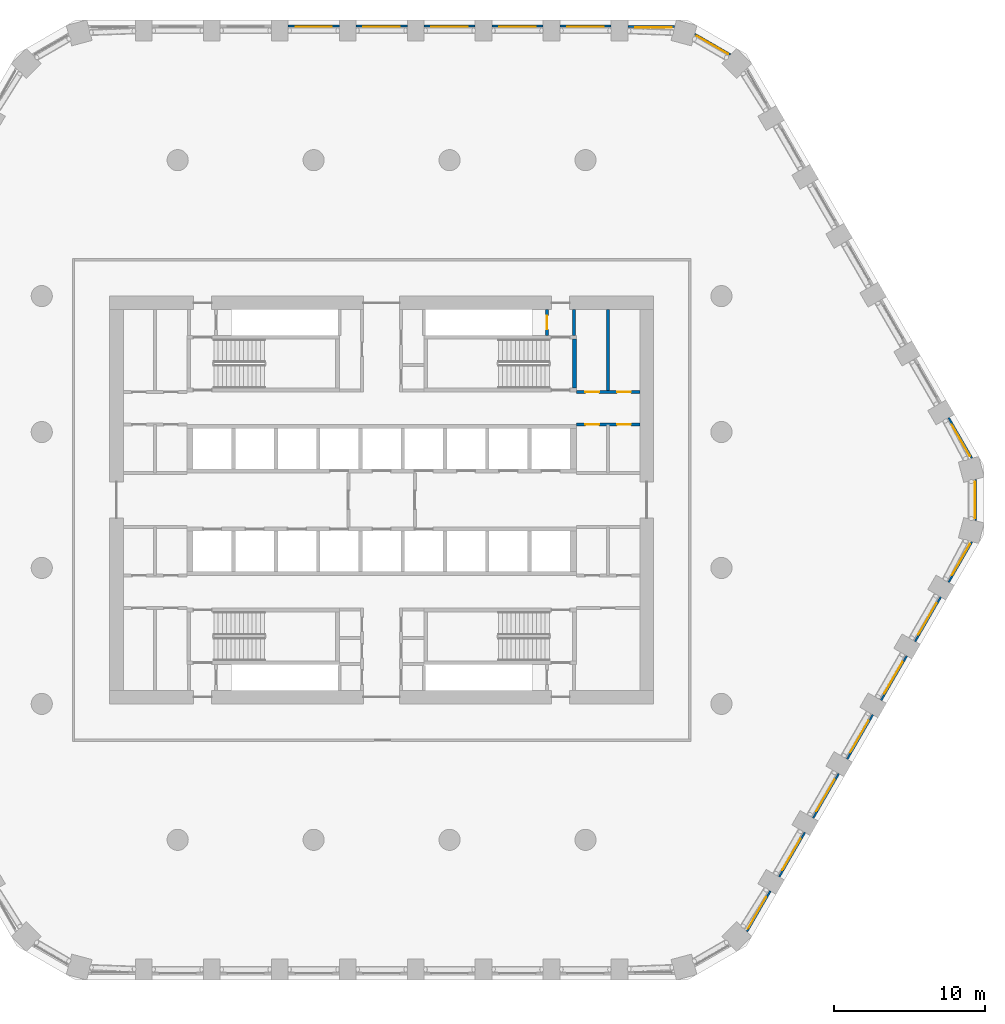
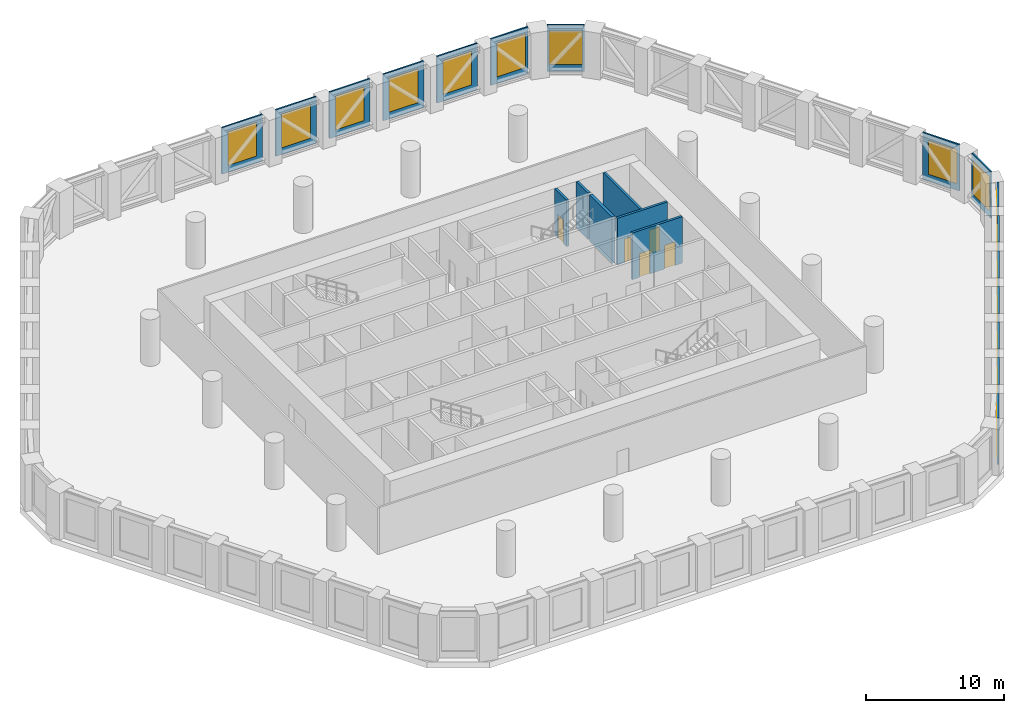
# One storey, part 8 of 18: 22 walls, 16 windows, 5 doors, 21 openings.
"""IFC4 building model written with IfcOpenShell, lengths in metres."""

from ifc_helpers import new_model, si_unit, direction, frame, frame_2d, origin, place, context, subcontext, project, spatial, rectangle, extrude, material, layer, layer_set, type_object, element, fill, save


model = new_model("IFC4")

# Units and contexts
model_context = context("Model", 3, precision=1e-05, world=origin(), true_north=direction((0.0, 1.0)))
body_context = subcontext(model_context, "Body", "Model", "MODEL_VIEW")
ifc_project = project(units=[si_unit("LENGTHUNIT", "METRE"), si_unit("AREAUNIT", "SQUARE_METRE"), si_unit("VOLUMEUNIT", "CUBIC_METRE"), si_unit("PLANEANGLEUNIT", "RADIAN"), si_unit("MASSUNIT", "GRAM", prefix="KILO")], contexts=[model_context])

# Site, building, storey
site_placement = place(None, origin())
site = spatial("IfcSite", under=ifc_project, at=site_placement, CompositionType="ELEMENT")
building_placement = place(site_placement, origin())
building = spatial("IfcBuilding", under=site, at=building_placement, Name="Dhurran Vertical Campus", CompositionType="ELEMENT")
storey_placement = place(building_placement, frame((0.0, 0.0, 76.800048828125)))
storey = spatial("IfcBuildingStorey", under=building, at=storey_placement, Name="L18 Plant", CompositionType="ELEMENT", Elevation=76.800048828125)

# Wall, opening, window
ifc_material_1 = material(Name="Precast concrete C50/60", Category="concrete")
ifc_layer_1 = layer(ifc_material_1, 0.1201171875)
ifc_layer_set_1 = layer_set([ifc_layer_1], Name="Precast concrete C50/60")
wall_type_1 = type_object("IfcWallType", Name="Precast louvre-bay panel 120", PredefinedType="SOLIDWALL", material=ifc_layer_set_1)
wall_1_placement = place(storey_placement, frame((24.19677734375, -28.567138671875, 0.0), z_axis=(0.0, 0.0, 1.0), x_axis=(0.49996174997, 0.866047486323, 0.0)))
wall_1 = element("IfcWall", 1, at=wall_1_placement, inside=storey, type_object=wall_type_1, Name="EW4 L18.10", PredefinedType="SOLIDWALL", context=body_context, shape_type="SweptSolid", body=[
    extrude(rectangle(XDim=3.091064453125, YDim=0.1201171875, at=frame_2d((1.54541015625, 0.0))), origin(), (0.0, 0.0, 1.0), 4.125),
])
opening_1_placement = place(wall_1_placement, frame((0.19140625, 0.0, 0.60009765625)))
opening_1 = element("IfcOpeningElement", 2, at=opening_1_placement, cuts=wall_1, Name="Opening WT4", PredefinedType="OPENING", context=body_context, shape_type="SweptSolid", body=[
    extrude(rectangle(XDim=2.39990234375, YDim=3.0, at=frame_2d((1.199951171875, 1.5))), frame((0.0, 0.070068359375, 0.0), z_axis=(0.0, -1.0, 0.0), x_axis=(1.0, 0.0, 0.0)), (0.0, 0.0, 1.0), 0.14013671875),
])
ifc_material_2 = material(Name="Aluminium louvre", Category="aluminium")
window_type = type_object("IfcWindowType", Name="Louvred plant vent 2400 x 3000", PartitioningType="SINGLE_PANEL", PredefinedType="WINDOW", material=ifc_material_2)
window_1_placement = place(opening_1_placement, origin())
window_1 = element("IfcWindow", 3, at=window_1_placement, inside=storey, type_object=window_type, Name="WT4 L18.10", OverallHeight=3.0, OverallWidth=2.39990234375, PartitioningType="SINGLE_PANEL", PredefinedType="WINDOW", context=body_context, shape_type="SweptSolid", body=[
    extrude(rectangle(XDim=2.39990234375, YDim=3.0, at=frame_2d((1.199951171875, 1.5))), frame((0.0, 0.06005859375, 0.0), z_axis=(0.0, -1.0, 0.0), x_axis=(1.0, 0.0, 0.0)), (0.0, 0.0, 1.0), 0.02001953125),
])
fill(opening_1, window_1)

wall_2_placement = place(storey_placement, frame((26.3251953125, -24.95556640625, 0.0), z_axis=(0.0, 0.0, 1.0), x_axis=(0.499993955907, 0.866028893315, 0.0)))
wall_2 = element("IfcWall", 4, at=wall_2_placement, inside=storey, type_object=wall_type_1, Name="EW4 L18.11", PredefinedType="SOLIDWALL", context=body_context, shape_type="SweptSolid", body=[
    extrude(rectangle(XDim=3.39892578125, YDim=0.1201171875, at=frame_2d((1.699462890625, 0.0))), origin(), (0.0, 0.0, 1.0), 4.125),
])
opening_2_placement = place(wall_2_placement, frame((0.49951171875, 0.0, 0.60009765625)))
opening_2 = element("IfcOpeningElement", 5, at=opening_2_placement, cuts=wall_2, Name="Opening WT4", PredefinedType="OPENING", context=body_context, shape_type="SweptSolid", body=[
    extrude(rectangle(XDim=2.39990234375, YDim=3.0, at=frame_2d((1.199951171875, 1.5))), frame((0.0, 0.070068359375, 0.0), z_axis=(0.0, -1.0, 0.0), x_axis=(1.0, 0.0, 0.0)), (0.0, 0.0, 1.0), 0.14013671875),
])
window_2_placement = place(opening_2_placement, origin())
window_2 = element("IfcWindow", 6, at=window_2_placement, inside=storey, type_object=window_type, Name="WT4 L18.11", OverallHeight=3.0, OverallWidth=2.39990234375, PartitioningType="SINGLE_PANEL", PredefinedType="WINDOW", context=body_context, shape_type="SweptSolid", body=[
    extrude(rectangle(XDim=2.39990234375, YDim=3.0, at=frame_2d((1.199951171875, 1.5))), frame((0.0, 0.06005859375, 0.0), z_axis=(0.0, -1.0, 0.0), x_axis=(1.0, 0.0, 0.0)), (0.0, 0.0, 1.0), 0.02001953125),
])
fill(opening_2, window_2)

wall_3_placement = place(storey_placement, frame((28.5751953125, -21.058349609375, 0.0), z_axis=(0.0, 0.0, 1.0), x_axis=(0.499993955907, 0.866028893315, 0.0)))
wall_3 = element("IfcWall", 7, at=wall_3_placement, inside=storey, type_object=wall_type_1, Name="EW4 L18.12", PredefinedType="SOLIDWALL", context=body_context, shape_type="SweptSolid", body=[
    extrude(rectangle(XDim=3.39892578125, YDim=0.1201171875, at=frame_2d((1.699462890625, 0.0))), origin(), (0.0, 0.0, 1.0), 4.125),
])
opening_3_placement = place(wall_3_placement, frame((0.49951171875, 0.0, 0.60009765625)))
opening_3 = element("IfcOpeningElement", 8, at=opening_3_placement, cuts=wall_3, Name="Opening WT4", PredefinedType="OPENING", context=body_context, shape_type="SweptSolid", body=[
    extrude(rectangle(XDim=2.39990234375, YDim=3.0, at=frame_2d((1.199951171875, 1.5))), frame((0.0, 0.070068359375, 0.0), z_axis=(0.0, -1.0, 0.0), x_axis=(1.0, 0.0, 0.0)), (0.0, 0.0, 1.0), 0.14013671875),
])
window_3_placement = place(opening_3_placement, origin())
window_3 = element("IfcWindow", 9, at=window_3_placement, inside=storey, type_object=window_type, Name="WT4 L18.12", OverallHeight=3.0, OverallWidth=2.39990234375, PartitioningType="SINGLE_PANEL", PredefinedType="WINDOW", context=body_context, shape_type="SweptSolid", body=[
    extrude(rectangle(XDim=2.39990234375, YDim=3.0, at=frame_2d((1.199951171875, 1.5))), frame((0.0, 0.06005859375, 0.0), z_axis=(0.0, -1.0, 0.0), x_axis=(1.0, 0.0, 0.0)), (0.0, 0.0, 1.0), 0.02001953125),
])
fill(opening_3, window_3)

wall_4_placement = place(storey_placement, frame((30.8251953125, -17.1611328125, 0.0), z_axis=(0.0, 0.0, 1.0), x_axis=(0.499993955907, 0.866028893315, 0.0)))
wall_4 = element("IfcWall", 10, at=wall_4_placement, inside=storey, type_object=wall_type_1, Name="EW4 L18.13", PredefinedType="SOLIDWALL", context=body_context, shape_type="SweptSolid", body=[
    extrude(rectangle(XDim=3.39892578125, YDim=0.1201171875, at=frame_2d((1.699462890625, 0.0))), origin(), (0.0, 0.0, 1.0), 4.125),
])
opening_4_placement = place(wall_4_placement, frame((0.49951171875, 0.0, 0.60009765625)))
opening_4 = element("IfcOpeningElement", 11, at=opening_4_placement, cuts=wall_4, Name="Opening WT4", PredefinedType="OPENING", context=body_context, shape_type="SweptSolid", body=[
    extrude(rectangle(XDim=2.39990234375, YDim=3.0, at=frame_2d((1.199951171875, 1.5))), frame((0.0, 0.070068359375, 0.0), z_axis=(0.0, -1.0, 0.0), x_axis=(1.0, 0.0, 0.0)), (0.0, 0.0, 1.0), 0.14013671875),
])
window_4_placement = place(opening_4_placement, origin())
window_4 = element("IfcWindow", 12, at=window_4_placement, inside=storey, type_object=window_type, Name="WT4 L18.13", OverallHeight=3.0, OverallWidth=2.39990234375, PartitioningType="SINGLE_PANEL", PredefinedType="WINDOW", context=body_context, shape_type="SweptSolid", body=[
    extrude(rectangle(XDim=2.39990234375, YDim=3.0, at=frame_2d((1.199951171875, 1.5))), frame((0.0, 0.06005859375, 0.0), z_axis=(0.0, -1.0, 0.0), x_axis=(1.0, 0.0, 0.0)), (0.0, 0.0, 1.0), 0.02001953125),
])
fill(opening_4, window_4)

wall_5_placement = place(storey_placement, frame((33.0751953125, -13.26416015625, 0.0), z_axis=(0.0, 0.0, 1.0), x_axis=(0.499993955907, 0.866028893315, 0.0)))
wall_5 = element("IfcWall", 13, at=wall_5_placement, inside=storey, type_object=wall_type_1, Name="EW4 L18.14", PredefinedType="SOLIDWALL", context=body_context, shape_type="SweptSolid", body=[
    extrude(rectangle(XDim=3.39892578125, YDim=0.1201171875, at=frame_2d((1.699462890625, 0.0))), origin(), (0.0, 0.0, 1.0), 4.125),
])
opening_5_placement = place(wall_5_placement, frame((0.49951171875, 0.0, 0.60009765625)))
opening_5 = element("IfcOpeningElement", 14, at=opening_5_placement, cuts=wall_5, Name="Opening WT4", PredefinedType="OPENING", context=body_context, shape_type="SweptSolid", body=[
    extrude(rectangle(XDim=2.39990234375, YDim=3.0, at=frame_2d((1.199951171875, 1.5))), frame((0.0, 0.070068359375, 0.0), z_axis=(0.0, -1.0, 0.0), x_axis=(1.0, 0.0, 0.0)), (0.0, 0.0, 1.0), 0.14013671875),
])
window_5_placement = place(opening_5_placement, origin())
window_5 = element("IfcWindow", 15, at=window_5_placement, inside=storey, type_object=window_type, Name="WT4 L18.14", OverallHeight=3.0, OverallWidth=2.39990234375, PartitioningType="SINGLE_PANEL", PredefinedType="WINDOW", context=body_context, shape_type="SweptSolid", body=[
    extrude(rectangle(XDim=2.39990234375, YDim=3.0, at=frame_2d((1.199951171875, 1.5))), frame((0.0, 0.06005859375, 0.0), z_axis=(0.0, -1.0, 0.0), x_axis=(1.0, 0.0, 0.0)), (0.0, 0.0, 1.0), 0.02001953125),
])
fill(opening_5, window_5)

wall_6_placement = place(storey_placement, frame((35.3251953125, -9.366943359375, 0.0), z_axis=(0.0, 0.0, 1.0), x_axis=(0.499993955907, 0.866028893315, 0.0)))
wall_6 = element("IfcWall", 16, at=wall_6_placement, inside=storey, type_object=wall_type_1, Name="EW4 L18.15", PredefinedType="SOLIDWALL", context=body_context, shape_type="SweptSolid", body=[
    extrude(rectangle(XDim=3.39892578125, YDim=0.1201171875, at=frame_2d((1.699462890625, 0.0))), origin(), (0.0, 0.0, 1.0), 4.125),
])
opening_6_placement = place(wall_6_placement, frame((0.49951171875, 0.0, 0.60009765625)))
opening_6 = element("IfcOpeningElement", 17, at=opening_6_placement, cuts=wall_6, Name="Opening WT4", PredefinedType="OPENING", context=body_context, shape_type="SweptSolid", body=[
    extrude(rectangle(XDim=2.39990234375, YDim=3.0, at=frame_2d((1.199951171875, 1.5))), frame((0.0, 0.070068359375, 0.0), z_axis=(0.0, -1.0, 0.0), x_axis=(1.0, 0.0, 0.0)), (0.0, 0.0, 1.0), 0.14013671875),
])
window_6_placement = place(opening_6_placement, origin())
window_6 = element("IfcWindow", 18, at=window_6_placement, inside=storey, type_object=window_type, Name="WT4 L18.15", OverallHeight=3.0, OverallWidth=2.39990234375, PartitioningType="SINGLE_PANEL", PredefinedType="WINDOW", context=body_context, shape_type="SweptSolid", body=[
    extrude(rectangle(XDim=2.39990234375, YDim=3.0, at=frame_2d((1.199951171875, 1.5))), frame((0.0, 0.06005859375, 0.0), z_axis=(0.0, -1.0, 0.0), x_axis=(1.0, 0.0, 0.0)), (0.0, 0.0, 1.0), 0.02001953125),
])
fill(opening_6, window_6)

wall_7_placement = place(storey_placement, frame((37.542724609375, -5.451171875, 0.0), z_axis=(0.0, 0.0, 1.0), x_axis=(0.499995950774, 0.866027741594, 0.0)))
wall_7 = element("IfcWall", 19, at=wall_7_placement, inside=storey, type_object=wall_type_1, Name="EW4 L18.16", PredefinedType="SOLIDWALL", context=body_context, shape_type="SweptSolid", body=[
    extrude(rectangle(XDim=3.0908203125, YDim=0.1201171875, at=frame_2d((1.54541015625, 0.0))), origin(), (0.0, 0.0, 1.0), 4.125),
])
opening_7_placement = place(wall_7_placement, frame((0.49951171875, 0.0, 0.60009765625)))
opening_7 = element("IfcOpeningElement", 20, at=opening_7_placement, cuts=wall_7, Name="Opening WT4", PredefinedType="OPENING", context=body_context, shape_type="SweptSolid", body=[
    extrude(rectangle(XDim=2.39990234375, YDim=3.0, at=frame_2d((1.199951171875, 1.5))), frame((0.0, 0.070068359375, 0.0), z_axis=(0.0, -1.0, 0.0), x_axis=(1.0, 0.0, 0.0)), (0.0, 0.0, 1.0), 0.14013671875),
])
window_7_placement = place(opening_7_placement, origin())
window_7 = element("IfcWindow", 21, at=window_7_placement, inside=storey, type_object=window_type, Name="WT4 L18.16", OverallHeight=3.0, OverallWidth=2.39990234375, PartitioningType="SINGLE_PANEL", PredefinedType="WINDOW", context=body_context, shape_type="SweptSolid", body=[
    extrude(rectangle(XDim=2.39990234375, YDim=3.0, at=frame_2d((1.199951171875, 1.5))), frame((0.0, 0.06005859375, 0.0), z_axis=(0.0, -1.0, 0.0), x_axis=(1.0, 0.0, 0.0)), (0.0, 0.0, 1.0), 0.02001953125),
])
fill(opening_7, window_7)

wall_8_placement = place(storey_placement, frame((39.3388671875, -1.359375, 0.0), z_axis=(0.0, 0.0, 1.0), x_axis=(0.0, 1.0, 0.0)))
wall_8 = element("IfcWall", 22, at=wall_8_placement, inside=storey, type_object=wall_type_1, Name="EW4 L18.17", PredefinedType="SOLIDWALL", context=body_context, shape_type="SweptSolid", body=[
    extrude(rectangle(XDim=2.71875, YDim=0.1201171875, at=frame_2d((1.359375, 0.0))), origin(), (0.0, 0.0, 1.0), 4.125),
])
opening_8_placement = place(wall_8_placement, frame((0.159423828125, 0.0, 0.60009765625)))
opening_8 = element("IfcOpeningElement", 23, at=opening_8_placement, cuts=wall_8, Name="Opening WT4", PredefinedType="OPENING", context=body_context, shape_type="SweptSolid", body=[
    extrude(rectangle(XDim=2.39990234375, YDim=3.0, at=frame_2d((1.199951171875, 1.5))), frame((0.0, 0.070068359375, 0.0), z_axis=(0.0, -1.0, 0.0), x_axis=(1.0, 0.0, 0.0)), (0.0, 0.0, 1.0), 0.14013671875),
])
window_8_placement = place(opening_8_placement, origin())
window_8 = element("IfcWindow", 24, at=window_8_placement, inside=storey, type_object=window_type, Name="WT4 L18.17", OverallHeight=3.0, OverallWidth=2.39990234375, PartitioningType="SINGLE_PANEL", PredefinedType="WINDOW", context=body_context, shape_type="SweptSolid", body=[
    extrude(rectangle(XDim=2.39990234375, YDim=3.0, at=frame_2d((1.199951171875, 1.5))), frame((0.0, 0.06005859375, 0.0), z_axis=(0.0, -1.0, 0.0), x_axis=(1.0, 0.0, 0.0)), (0.0, 0.0, 1.0), 0.02001953125),
])
fill(opening_8, window_8)

wall_9_placement = place(storey_placement, frame((39.088134765625, 2.7744140625, 0.0), z_axis=(0.0, 0.0, 1.0), x_axis=(-0.499995950774, 0.866027741594, 0.0)))
wall_9 = element("IfcWall", 25, at=wall_9_placement, inside=storey, type_object=wall_type_1, Name="EW4 L18.18", PredefinedType="SOLIDWALL", context=body_context, shape_type="SweptSolid", body=[
    extrude(rectangle(XDim=3.0908203125, YDim=0.1201171875, at=frame_2d((1.54541015625, 0.0))), origin(), (0.0, 0.0, 1.0), 4.125),
])
opening_9_placement = place(wall_9_placement, frame((0.19140625, 0.0, 0.60009765625)))
opening_9 = element("IfcOpeningElement", 26, at=opening_9_placement, cuts=wall_9, Name="Opening WT4", PredefinedType="OPENING", context=body_context, shape_type="SweptSolid", body=[
    extrude(rectangle(XDim=2.39990234375, YDim=3.0, at=frame_2d((1.199951171875, 1.5))), frame((0.0, 0.070068359375, 0.0), z_axis=(0.0, -1.0, 0.0), x_axis=(1.0, 0.0, 0.0)), (0.0, 0.0, 1.0), 0.14013671875),
])
window_9_placement = place(opening_9_placement, origin())
window_9 = element("IfcWindow", 27, at=window_9_placement, inside=storey, type_object=window_type, Name="WT4 L18.18", OverallHeight=3.0, OverallWidth=2.39990234375, PartitioningType="SINGLE_PANEL", PredefinedType="WINDOW", context=body_context, shape_type="SweptSolid", body=[
    extrude(rectangle(XDim=2.39990234375, YDim=3.0, at=frame_2d((1.199951171875, 1.5))), frame((0.0, 0.06005859375, 0.0), z_axis=(0.0, -1.0, 0.0), x_axis=(1.0, 0.0, 0.0)), (0.0, 0.0, 1.0), 0.02001953125),
])
fill(opening_9, window_9)

wall_10_placement = place(storey_placement, frame((23.0966796875, 29.49169921875, 0.0), z_axis=(0.0, 0.0, 1.0), x_axis=(-0.866024081565, 0.500002290144, 0.0)))
wall_10 = element("IfcWall", 28, at=wall_10_placement, inside=storey, type_object=wall_type_1, Name="EW4 L18.25", PredefinedType="SOLIDWALL", context=body_context, shape_type="SweptSolid", body=[
    extrude(rectangle(XDim=2.71875, YDim=0.1201171875, at=frame_2d((1.359375, 0.0))), origin(), (0.0, 0.0, 1.0), 4.125),
])
opening_10_placement = place(wall_10_placement, frame((0.159423828125, 0.0, 0.60009765625)))
opening_10 = element("IfcOpeningElement", 29, at=opening_10_placement, cuts=wall_10, Name="Opening WT4", PredefinedType="OPENING", context=body_context, shape_type="SweptSolid", body=[
    extrude(rectangle(XDim=2.39990234375, YDim=3.0, at=frame_2d((1.199951171875, 1.5))), frame((0.0, 0.070068359375, 0.0), z_axis=(0.0, -1.0, 0.0), x_axis=(1.0, 0.0, 0.0)), (0.0, 0.0, 1.0), 0.14013671875),
])
window_10_placement = place(opening_10_placement, origin())
window_10 = element("IfcWindow", 30, at=window_10_placement, inside=storey, type_object=window_type, Name="WT4 L18.25", OverallHeight=3.0, OverallWidth=2.39990234375, PartitioningType="SINGLE_PANEL", PredefinedType="WINDOW", context=body_context, shape_type="SweptSolid", body=[
    extrude(rectangle(XDim=2.39990234375, YDim=3.0, at=frame_2d((1.199951171875, 1.5))), frame((0.0, 0.06005859375, 0.0), z_axis=(0.0, -1.0, 0.0), x_axis=(1.0, 0.0, 0.0)), (0.0, 0.0, 1.0), 0.02001953125),
])
fill(opening_10, window_10)

wall_11_placement = place(storey_placement, frame((19.3916015625, 31.34130859375, 0.0), z_axis=(0.0, 0.0, 1.0), x_axis=(-1.0, 0.0, 0.0)))
wall_11 = element("IfcWall", 31, at=wall_11_placement, inside=storey, type_object=wall_type_1, Name="EW4 L18.26", PredefinedType="SOLIDWALL", context=body_context, shape_type="SweptSolid", body=[
    extrude(rectangle(XDim=3.091064453125, YDim=0.1201171875, at=frame_2d((1.54541015625, 0.0))), origin(), (0.0, 0.0, 1.0), 4.125),
])
opening_11_placement = place(wall_11_placement, frame((0.19140625, 0.0, 0.60009765625)))
opening_11 = element("IfcOpeningElement", 32, at=opening_11_placement, cuts=wall_11, Name="Opening WT4", PredefinedType="OPENING", context=body_context, shape_type="SweptSolid", body=[
    extrude(rectangle(XDim=2.39990234375, YDim=3.0, at=frame_2d((1.199951171875, 1.5))), frame((0.0, 0.070068359375, 0.0), z_axis=(0.0, -1.0, 0.0), x_axis=(1.0, 0.0, 0.0)), (0.0, 0.0, 1.0), 0.14013671875),
])
window_11_placement = place(opening_11_placement, origin())
window_11 = element("IfcWindow", 33, at=window_11_placement, inside=storey, type_object=window_type, Name="WT4 L18.26", OverallHeight=3.0, OverallWidth=2.39990234375, PartitioningType="SINGLE_PANEL", PredefinedType="WINDOW", context=body_context, shape_type="SweptSolid", body=[
    extrude(rectangle(XDim=2.39990234375, YDim=3.0, at=frame_2d((1.199951171875, 1.5))), frame((0.0, 0.06005859375, 0.0), z_axis=(0.0, -1.0, 0.0), x_axis=(1.0, 0.0, 0.0)), (0.0, 0.0, 1.0), 0.02001953125),
])
fill(opening_11, window_11)

wall_12_placement = place(storey_placement, frame((15.199462890625, 31.37890625, 0.0), z_axis=(0.0, 0.0, 1.0), x_axis=(-1.0, 0.0, 0.0)))
wall_12 = element("IfcWall", 34, at=wall_12_placement, inside=storey, type_object=wall_type_1, Name="EW4 L18.27", PredefinedType="SOLIDWALL", context=body_context, shape_type="SweptSolid", body=[
    extrude(rectangle(XDim=3.39892578125, YDim=0.1201171875, at=frame_2d((1.699462890625, 0.0))), origin(), (0.0, 0.0, 1.0), 4.125),
])
opening_12_placement = place(wall_12_placement, frame((0.49951171875, 0.0, 0.60009765625)))
opening_12 = element("IfcOpeningElement", 35, at=opening_12_placement, cuts=wall_12, Name="Opening WT4", PredefinedType="OPENING", context=body_context, shape_type="SweptSolid", body=[
    extrude(rectangle(XDim=2.39990234375, YDim=3.0, at=frame_2d((1.199951171875, 1.5))), frame((0.0, 0.070068359375, 0.0), z_axis=(0.0, -1.0, 0.0), x_axis=(1.0, 0.0, 0.0)), (0.0, 0.0, 1.0), 0.14013671875),
])
window_12_placement = place(opening_12_placement, origin())
window_12 = element("IfcWindow", 36, at=window_12_placement, inside=storey, type_object=window_type, Name="WT4 L18.27", OverallHeight=3.0, OverallWidth=2.39990234375, PartitioningType="SINGLE_PANEL", PredefinedType="WINDOW", context=body_context, shape_type="SweptSolid", body=[
    extrude(rectangle(XDim=2.39990234375, YDim=3.0, at=frame_2d((1.199951171875, 1.5))), frame((0.0, 0.06005859375, 0.0), z_axis=(0.0, -1.0, 0.0), x_axis=(1.0, 0.0, 0.0)), (0.0, 0.0, 1.0), 0.02001953125),
])
fill(opening_12, window_12)

wall_13_placement = place(storey_placement, frame((10.699462890625, 31.37890625, 0.0), z_axis=(0.0, 0.0, 1.0), x_axis=(-1.0, 0.0, 0.0)))
wall_13 = element("IfcWall", 37, at=wall_13_placement, inside=storey, type_object=wall_type_1, Name="EW4 L18.28", PredefinedType="SOLIDWALL", context=body_context, shape_type="SweptSolid", body=[
    extrude(rectangle(XDim=3.39892578125, YDim=0.1201171875, at=frame_2d((1.699462890625, 0.0))), origin(), (0.0, 0.0, 1.0), 4.125),
])
opening_13_placement = place(wall_13_placement, frame((0.49951171875, 0.0, 0.60009765625)))
opening_13 = element("IfcOpeningElement", 38, at=opening_13_placement, cuts=wall_13, Name="Opening WT4", PredefinedType="OPENING", context=body_context, shape_type="SweptSolid", body=[
    extrude(rectangle(XDim=2.39990234375, YDim=3.0, at=frame_2d((1.199951171875, 1.5))), frame((0.0, 0.070068359375, 0.0), z_axis=(0.0, -1.0, 0.0), x_axis=(1.0, 0.0, 0.0)), (0.0, 0.0, 1.0), 0.14013671875),
])
window_13_placement = place(opening_13_placement, origin())
window_13 = element("IfcWindow", 39, at=window_13_placement, inside=storey, type_object=window_type, Name="WT4 L18.28", OverallHeight=3.0, OverallWidth=2.39990234375, PartitioningType="SINGLE_PANEL", PredefinedType="WINDOW", context=body_context, shape_type="SweptSolid", body=[
    extrude(rectangle(XDim=2.39990234375, YDim=3.0, at=frame_2d((1.199951171875, 1.5))), frame((0.0, 0.06005859375, 0.0), z_axis=(0.0, -1.0, 0.0), x_axis=(1.0, 0.0, 0.0)), (0.0, 0.0, 1.0), 0.02001953125),
])
fill(opening_13, window_13)

wall_14_placement = place(storey_placement, frame((6.199462890625, 31.37890625, 0.0), z_axis=(0.0, 0.0, 1.0), x_axis=(-1.0, 0.0, 0.0)))
wall_14 = element("IfcWall", 40, at=wall_14_placement, inside=storey, type_object=wall_type_1, Name="EW4 L18.29", PredefinedType="SOLIDWALL", context=body_context, shape_type="SweptSolid", body=[
    extrude(rectangle(XDim=3.39892578125, YDim=0.1201171875, at=frame_2d((1.699462890625, 0.0))), origin(), (0.0, 0.0, 1.0), 4.125),
])
opening_14_placement = place(wall_14_placement, frame((0.49951171875, 0.0, 0.60009765625)))
opening_14 = element("IfcOpeningElement", 41, at=opening_14_placement, cuts=wall_14, Name="Opening WT4", PredefinedType="OPENING", context=body_context, shape_type="SweptSolid", body=[
    extrude(rectangle(XDim=2.39990234375, YDim=3.0, at=frame_2d((1.199951171875, 1.5))), frame((0.0, 0.070068359375, 0.0), z_axis=(0.0, -1.0, 0.0), x_axis=(1.0, 0.0, 0.0)), (0.0, 0.0, 1.0), 0.14013671875),
])
window_14_placement = place(opening_14_placement, origin())
window_14 = element("IfcWindow", 42, at=window_14_placement, inside=storey, type_object=window_type, Name="WT4 L18.29", OverallHeight=3.0, OverallWidth=2.39990234375, PartitioningType="SINGLE_PANEL", PredefinedType="WINDOW", context=body_context, shape_type="SweptSolid", body=[
    extrude(rectangle(XDim=2.39990234375, YDim=3.0, at=frame_2d((1.199951171875, 1.5))), frame((0.0, 0.06005859375, 0.0), z_axis=(0.0, -1.0, 0.0), x_axis=(1.0, 0.0, 0.0)), (0.0, 0.0, 1.0), 0.02001953125),
])
fill(opening_14, window_14)

wall_15_placement = place(storey_placement, frame((1.699462890625, 31.37890625, 0.0), z_axis=(0.0, 0.0, 1.0), x_axis=(-1.0, 0.0, 0.0)))
wall_15 = element("IfcWall", 43, at=wall_15_placement, inside=storey, type_object=wall_type_1, Name="EW4 L18.30", PredefinedType="SOLIDWALL", context=body_context, shape_type="SweptSolid", body=[
    extrude(rectangle(XDim=3.39892578125, YDim=0.1201171875, at=frame_2d((1.699462890625, 0.0))), origin(), (0.0, 0.0, 1.0), 4.125),
])
opening_15_placement = place(wall_15_placement, frame((0.49951171875, 0.0, 0.60009765625)))
opening_15 = element("IfcOpeningElement", 44, at=opening_15_placement, cuts=wall_15, Name="Opening WT4", PredefinedType="OPENING", context=body_context, shape_type="SweptSolid", body=[
    extrude(rectangle(XDim=2.39990234375, YDim=3.0, at=frame_2d((1.199951171875, 1.5))), frame((0.0, 0.070068359375, 0.0), z_axis=(0.0, -1.0, 0.0), x_axis=(1.0, 0.0, 0.0)), (0.0, 0.0, 1.0), 0.14013671875),
])
window_15_placement = place(opening_15_placement, origin())
window_15 = element("IfcWindow", 45, at=window_15_placement, inside=storey, type_object=window_type, Name="WT4 L18.30", OverallHeight=3.0, OverallWidth=2.39990234375, PartitioningType="SINGLE_PANEL", PredefinedType="WINDOW", context=body_context, shape_type="SweptSolid", body=[
    extrude(rectangle(XDim=2.39990234375, YDim=3.0, at=frame_2d((1.199951171875, 1.5))), frame((0.0, 0.06005859375, 0.0), z_axis=(0.0, -1.0, 0.0), x_axis=(1.0, 0.0, 0.0)), (0.0, 0.0, 1.0), 0.02001953125),
])
fill(opening_15, window_15)

wall_16_placement = place(storey_placement, frame((-2.800537109375, 31.37890625, 0.0), z_axis=(0.0, 0.0, 1.0), x_axis=(-1.0, 0.0, 0.0)))
wall_16 = element("IfcWall", 46, at=wall_16_placement, inside=storey, type_object=wall_type_1, Name="EW4 L18.31", PredefinedType="SOLIDWALL", context=body_context, shape_type="SweptSolid", body=[
    extrude(rectangle(XDim=3.39892578125, YDim=0.1201171875, at=frame_2d((1.699462890625, 0.0))), origin(), (0.0, 0.0, 1.0), 4.125),
])
opening_16_placement = place(wall_16_placement, frame((0.49951171875, 0.0, 0.60009765625)))
opening_16 = element("IfcOpeningElement", 47, at=opening_16_placement, cuts=wall_16, Name="Opening WT4", PredefinedType="OPENING", context=body_context, shape_type="SweptSolid", body=[
    extrude(rectangle(XDim=2.39990234375, YDim=3.0, at=frame_2d((1.199951171875, 1.5))), frame((0.0, 0.070068359375, 0.0), z_axis=(0.0, -1.0, 0.0), x_axis=(1.0, 0.0, 0.0)), (0.0, 0.0, 1.0), 0.14013671875),
])
window_16_placement = place(opening_16_placement, origin())
window_16 = element("IfcWindow", 48, at=window_16_placement, inside=storey, type_object=window_type, Name="WT4 L18.31", OverallHeight=3.0, OverallWidth=2.39990234375, PartitioningType="SINGLE_PANEL", PredefinedType="WINDOW", context=body_context, shape_type="SweptSolid", body=[
    extrude(rectangle(XDim=2.39990234375, YDim=3.0, at=frame_2d((1.199951171875, 1.5))), frame((0.0, 0.06005859375, 0.0), z_axis=(0.0, -1.0, 0.0), x_axis=(1.0, 0.0, 0.0)), (0.0, 0.0, 1.0), 0.02001953125),
])
fill(opening_16, window_16)

# Wall
ifc_material_3 = material(Name="Fire-rated masonry blockwork", Category="masonry")
ifc_layer_2 = layer(ifc_material_3, 0.199951171875)
ifc_layer_set_2 = layer_set([ifc_layer_2], Name="Fire-rated masonry blockwork")
wall_type_2 = type_object("IfcWallType", Name="co-FIRE-PARTITION-200", PredefinedType="PARTITIONING", material=ifc_layer_set_2)
wall_17_placement = place(storey_placement, frame((12.75, 10.89990234375, 0.0), z_axis=(0.0, 0.0, 1.0), x_axis=(0.0, 1.0, 0.0)))
element("IfcWall", 49, at=wall_17_placement, inside=storey, type_object=wall_type_2, Name="Core partition pass-ST2-o L18", PredefinedType="PARTITIONING", context=body_context, shape_type="SweptSolid", body=[
    extrude(rectangle(XDim=1.7001953125, YDim=0.199951171875, at=frame_2d((0.85009765625, 0.0))), origin(), (0.0, 0.0, 1.0), 4.125),
])

# Wall, opening, door
wall_18_placement = place(storey_placement, frame((10.949951171875, 10.89990234375, 0.0), z_axis=(0.0, 0.0, 1.0), x_axis=(0.0, 1.0, 0.0)))
wall_18 = element("IfcWall", 50, at=wall_18_placement, inside=storey, type_object=wall_type_2, Name="Core partition pass-ST2-i L18", PredefinedType="PARTITIONING", context=body_context, shape_type="SweptSolid", body=[
    extrude(rectangle(XDim=1.7001953125, YDim=0.199951171875, at=frame_2d((0.85009765625, 0.0))), origin(), (0.0, 0.0, 1.0), 4.125),
])
opening_17_placement = place(wall_18_placement, frame((0.39990234375, 0.0, 0.0)))
opening_17 = element("IfcOpeningElement", 51, at=opening_17_placement, cuts=wall_18, Name="Opening BR18-C11", PredefinedType="OPENING", context=body_context, shape_type="SweptSolid", body=[
    extrude(rectangle(XDim=0.89990234375, YDim=2.10009765625, at=frame_2d((0.449951171875, 1.050048828125))), frame((0.0, 0.10986328125, 0.0), z_axis=(0.0, -1.0, 0.0), x_axis=(1.0, 0.0, 0.0)), (0.0, 0.0, 1.0), 0.219970703125),
])
ifc_material_4 = material(Name="Fire-rated timber door set", Category="wood")
door_type = type_object("IfcDoorType", Name="co-D-ROOM 900x2100", OperationType="SINGLE_SWING_LEFT", PredefinedType="DOOR", material=ifc_material_4)
door_1_placement = place(opening_17_placement, origin())
door_1 = element("IfcDoor", 52, at=door_1_placement, inside=storey, type_object=door_type, Name="Riser room door L18", OperationType="SINGLE_SWING_LEFT", OverallHeight=2.10009765625, OverallWidth=0.89990234375, PredefinedType="DOOR", context=body_context, shape_type="SweptSolid", body=[
    extrude(rectangle(XDim=0.89990234375, YDim=2.10009765625, at=frame_2d((0.449951171875, 1.050048828125))), frame((0.0, 0.02490234375, 0.0), z_axis=(0.0, -1.0, 0.0), x_axis=(1.0, 0.0, 0.0)), (0.0, 0.0, 1.0), 0.050048828125),
])
fill(opening_17, door_1)

# Wall
wall_19_placement = place(storey_placement, frame((15.0, 7.14990234375, 0.0), z_axis=(0.0, 0.0, 1.0), x_axis=(0.0, 1.0, 0.0)))
element("IfcWall", 53, at=wall_19_placement, inside=storey, type_object=wall_type_2, Name="Core partition en-NE-cut0 L18", PredefinedType="PARTITIONING", context=body_context, shape_type="SweptSolid", body=[
    extrude(rectangle(XDim=5.4501953125, YDim=0.199951171875, at=frame_2d((2.72509765625, 0.0))), origin(), (0.0, 0.0, 1.0), 4.125),
])

# Wall, openings, doors
wall_20_placement = place(storey_placement, frame((12.89990234375, 7.14990234375, 0.0), z_axis=(0.0, 0.0, 1.0), x_axis=(1.0, 0.0, 0.0)))
wall_20 = element("IfcWall", 54, at=wall_20_placement, inside=storey, type_object=wall_type_2, Name="Core partition en-NE-w L18", PredefinedType="PARTITIONING", context=body_context, shape_type="SweptSolid", body=[
    extrude(rectangle(XDim=4.2001953125, YDim=0.199951171875, at=frame_2d((2.10009765625, 0.0))), origin(), (0.0, 0.0, 1.0), 4.125),
])
opening_18_placement = place(wall_20_placement, frame((0.60009765625, 0.0, 0.0)))
opening_18 = element("IfcOpeningElement", 55, at=opening_18_placement, cuts=wall_20, Name="Opening BR18-C18", PredefinedType="OPENING", context=body_context, shape_type="SweptSolid", body=[
    extrude(rectangle(XDim=0.89990234375, YDim=2.10009765625, at=frame_2d((0.449951171875, 1.050048828125))), frame((0.0, 0.10986328125, 0.0), z_axis=(0.0, -1.0, 0.0), x_axis=(1.0, 0.0, 0.0)), (0.0, 0.0, 1.0), 0.219970703125),
])
opening_19_placement = place(wall_20_placement, frame((2.699951171875, 0.0, 0.0)))
opening_19 = element("IfcOpeningElement", 56, at=opening_19_placement, cuts=wall_20, Name="Opening BR18-C19", PredefinedType="OPENING", context=body_context, shape_type="SweptSolid", body=[
    extrude(rectangle(XDim=0.89990234375, YDim=2.10009765625, at=frame_2d((0.449951171875, 1.050048828125))), frame((0.0, 0.10986328125, 0.0), z_axis=(0.0, -1.0, 0.0), x_axis=(1.0, 0.0, 0.0)), (0.0, 0.0, 1.0), 0.219970703125),
])
door_2_placement = place(opening_18_placement, origin())
door_2 = element("IfcDoor", 57, at=door_2_placement, inside=storey, type_object=door_type, Name="Refuge area door L18", OperationType="SINGLE_SWING_LEFT", OverallHeight=2.10009765625, OverallWidth=0.89990234375, PredefinedType="DOOR", context=body_context, shape_type="SweptSolid", body=[
    extrude(rectangle(XDim=0.89990234375, YDim=2.10009765625, at=frame_2d((0.449951171875, 1.050048828125))), frame((0.0, 0.02490234375, 0.0), z_axis=(0.0, -1.0, 0.0), x_axis=(1.0, 0.0, 0.0)), (0.0, 0.0, 1.0), 0.050048828125),
])
fill(opening_18, door_2)
door_3_placement = place(opening_19_placement, origin())
door_3 = element("IfcDoor", 58, at=door_3_placement, inside=storey, type_object=door_type, Name="Refuge area door L18", OperationType="SINGLE_SWING_LEFT", OverallHeight=2.10009765625, OverallWidth=0.89990234375, PredefinedType="DOOR", context=body_context, shape_type="SweptSolid", body=[
    extrude(rectangle(XDim=0.89990234375, YDim=2.10009765625, at=frame_2d((0.449951171875, 1.050048828125))), frame((0.0, 0.02490234375, 0.0), z_axis=(0.0, -1.0, 0.0), x_axis=(1.0, 0.0, 0.0)), (0.0, 0.0, 1.0), 0.050048828125),
])
fill(opening_19, door_3)

wall_21_placement = place(storey_placement, frame((12.89990234375, 5.0, 0.0), z_axis=(0.0, 0.0, 1.0), x_axis=(1.0, 0.0, 0.0)))
wall_21 = element("IfcWall", 59, at=wall_21_placement, inside=storey, type_object=wall_type_2, Name="Core partition es-NE-w L18", PredefinedType="PARTITIONING", context=body_context, shape_type="SweptSolid", body=[
    extrude(rectangle(XDim=4.2001953125, YDim=0.199951171875, at=frame_2d((2.10009765625, 0.0))), origin(), (0.0, 0.0, 1.0), 4.125),
])
opening_20_placement = place(wall_21_placement, frame((0.60009765625, 0.0, 0.0)))
opening_20 = element("IfcOpeningElement", 60, at=opening_20_placement, cuts=wall_21, Name="Opening BR18-C20", PredefinedType="OPENING", context=body_context, shape_type="SweptSolid", body=[
    extrude(rectangle(XDim=0.89990234375, YDim=2.10009765625, at=frame_2d((0.449951171875, 1.050048828125))), frame((0.0, 0.10986328125, 0.0), z_axis=(0.0, -1.0, 0.0), x_axis=(1.0, 0.0, 0.0)), (0.0, 0.0, 1.0), 0.219970703125),
])
opening_21_placement = place(wall_21_placement, frame((2.699951171875, 0.0, 0.0)))
opening_21 = element("IfcOpeningElement", 61, at=opening_21_placement, cuts=wall_21, Name="Opening BR18-C21", PredefinedType="OPENING", context=body_context, shape_type="SweptSolid", body=[
    extrude(rectangle(XDim=0.89990234375, YDim=2.10009765625, at=frame_2d((0.449951171875, 1.050048828125))), frame((0.0, 0.10986328125, 0.0), z_axis=(0.0, -1.0, 0.0), x_axis=(1.0, 0.0, 0.0)), (0.0, 0.0, 1.0), 0.219970703125),
])
door_4_placement = place(opening_20_placement, origin())
door_4 = element("IfcDoor", 62, at=door_4_placement, inside=storey, type_object=door_type, Name="Pump room door L18", OperationType="SINGLE_SWING_LEFT", OverallHeight=2.10009765625, OverallWidth=0.89990234375, PredefinedType="DOOR", context=body_context, shape_type="SweptSolid", body=[
    extrude(rectangle(XDim=0.89990234375, YDim=2.10009765625, at=frame_2d((0.449951171875, 1.050048828125))), frame((0.0, 0.02490234375, 0.0), z_axis=(0.0, -1.0, 0.0), x_axis=(1.0, 0.0, 0.0)), (0.0, 0.0, 1.0), 0.050048828125),
])
fill(opening_20, door_4)
door_5_placement = place(opening_21_placement, origin())
door_5 = element("IfcDoor", 63, at=door_5_placement, inside=storey, type_object=door_type, Name="Water tank room door L18", OperationType="SINGLE_SWING_LEFT", OverallHeight=2.10009765625, OverallWidth=0.89990234375, PredefinedType="DOOR", context=body_context, shape_type="SweptSolid", body=[
    extrude(rectangle(XDim=0.89990234375, YDim=2.10009765625, at=frame_2d((0.449951171875, 1.050048828125))), frame((0.0, 0.02490234375, 0.0), z_axis=(0.0, -1.0, 0.0), x_axis=(1.0, 0.0, 0.0)), (0.0, 0.0, 1.0), 0.050048828125),
])
fill(opening_21, door_5)

# Wall
ifc_material_5 = material(Name="Concrete C40/50", Category="concrete")
ifc_layer_3 = layer(ifc_material_5, 0.25)
ifc_layer_set_3 = layer_set([ifc_layer_3], Name="Concrete C40/50")
wall_type_3 = type_object("IfcWallType", Name="co-STAIR-WALL-250", PredefinedType="SHEAR", material=ifc_layer_set_3)
wall_22_placement = place(storey_placement, frame((12.77490234375, 7.39990234375, 0.0), z_axis=(0.0, 0.0, 1.0), x_axis=(0.0, 1.0, 0.0)))
element("IfcWall", 64, at=wall_22_placement, inside=storey, type_object=wall_type_3, Name="Stair ST2 enclosure wall L18", PredefinedType="SHEAR", context=body_context, shape_type="SweptSolid", body=[
    extrude(rectangle(XDim=3.25, YDim=0.25, at=frame_2d((1.625, 0.0))), origin(), (0.0, 0.0, 1.0), 4.125),
])

save(model, "model.ifc")
